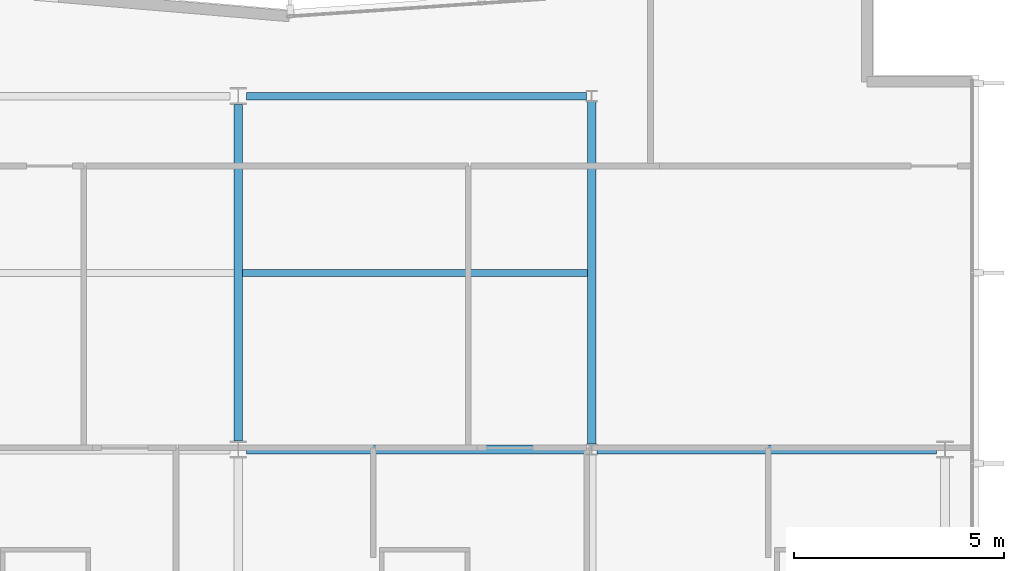
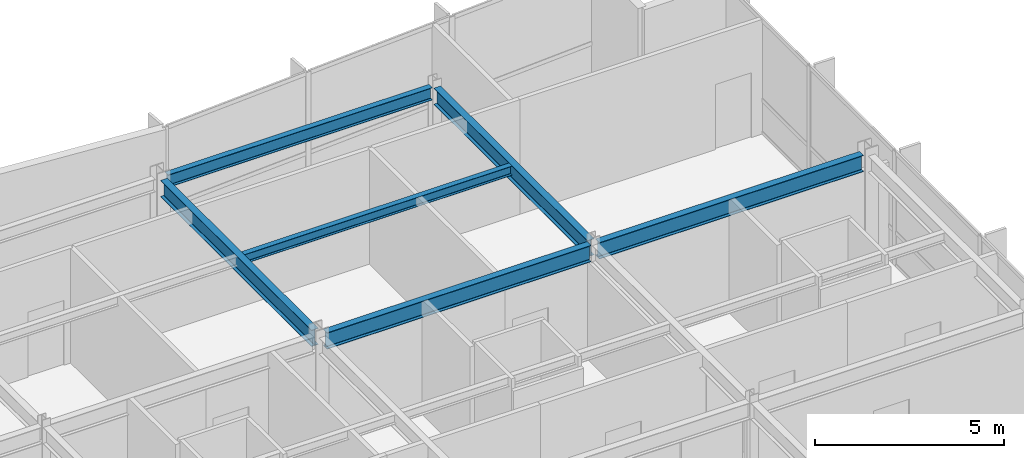
# One storey, part 6 of 17: 6 beams.
"""IFC4 building model written with IfcOpenShell, lengths in metres."""

from ifc_helpers import new_model, si_unit, direction, frame, origin, origin_2d, place, context, subcontext, project, spatial, i_section, extrude, material, material_profile, profile_set, type_object, element, save


model = new_model("IFC4")

# Units and contexts
model_context = context("Model", 3, precision=1e-05, world=origin(), true_north=direction((0.0, 1.0)))
body_context = subcontext(model_context, "Body", "Model", "MODEL_VIEW")
ifc_project = project(units=[si_unit("LENGTHUNIT", "METRE"), si_unit("AREAUNIT", "SQUARE_METRE"), si_unit("VOLUMEUNIT", "CUBIC_METRE"), si_unit("PLANEANGLEUNIT", "RADIAN"), si_unit("MASSUNIT", "GRAM", prefix="KILO")], contexts=[model_context])

# Site, building, storey
site_placement = place(None, origin())
site = spatial("IfcSite", under=ifc_project, at=site_placement, CompositionType="ELEMENT")
building_placement = place(site_placement, origin())
building = spatial("IfcBuilding", under=site, at=building_placement, Name="Varnakote Quay Hospital", CompositionType="ELEMENT")
storey_placement = place(building_placement, frame((0.0, 0.0, 203.949951171875)))
storey = spatial("IfcBuildingStorey", under=building, at=storey_placement, Name="L50", CompositionType="ELEMENT", Elevation=203.949951171875)

# Beams
ifc_material_1 = material(Name="Structural steel AS/NZS 3679.1 Grade 350 L0 (fy 340 MPa)", Category="steel")
ifc_material_profile_1 = material_profile(ifc_material_1, i_section(OverallWidth=0.208984375, OverallDepth=0.528076171875, WebThickness=0.009521484375, FlangeThickness=0.01318359375, FilletRadius=0.013916015625, at=origin_2d()), Name="530UB82.0")
ifc_profile_set_1 = profile_set([ifc_material_profile_1], Name="Structural steel AS/NZS 3679.1 Grade 350 L0 (fy 340 MPa)")
beam_type_1 = type_object("IfcBeamType", Name="BM-STL-530UB82-0", PredefinedType="BEAM", material=ifc_profile_set_1)
beam_1_placement = place(storey_placement, frame((33.60009765625, 20.60205078125, 3.446044921875), z_axis=(0.0, 1.0, 0.0), x_axis=(-1.0, 0.0, 0.0)))
element("IfcBeam", 1, at=beam_1_placement, inside=storey, type_object=beam_type_1, Name="L50 Primary Tie Beam", PredefinedType="BEAM", context=body_context, shape_type="SweptSolid", body=[
    extrude(i_section(OverallWidth=0.208984375, OverallDepth=0.528076171875, WebThickness=0.009521484375, FlangeThickness=0.01318359375, FilletRadius=0.013916015625, at=origin_2d()), origin(), (0.0, 0.0, 1.0), 7.995849609375),
])
beam_2_placement = place(storey_placement, frame((42.0, 20.530029296875, 3.446044921875), z_axis=(0.0, 1.0, 0.0), x_axis=(-1.0, 0.0, 0.0)))
element("IfcBeam", 2, at=beam_2_placement, inside=storey, type_object=beam_type_1, Name="L50 Primary Tie Beam", PredefinedType="BEAM", context=body_context, shape_type="SweptSolid", body=[
    extrude(i_section(OverallWidth=0.208984375, OverallDepth=0.528076171875, WebThickness=0.009521484375, FlangeThickness=0.01318359375, FilletRadius=0.013916015625, at=origin_2d()), origin(), (0.0, 0.0, 1.0), 8.139892578125),
])
ifc_material_2 = material(Name="Structural steel AS/NZS 3679.1 Grade 350 L0 (fy 340 MPa)", Category="steel")
ifc_material_profile_2 = material_profile(ifc_material_2, i_section(OverallWidth=0.208984375, OverallDepth=0.532958984375, WebThickness=0.01025390625, FlangeThickness=0.015625, FilletRadius=0.013916015625, at=origin_2d()), Name="530UB92.4")
ifc_profile_set_2 = profile_set([ifc_material_profile_2], Name="Structural steel AS/NZS 3679.1 Grade 350 L0 (fy 340 MPa)")
beam_type_2 = type_object("IfcBeamType", Name="BM-STL-530UB92-4", PredefinedType="BEAM", material=ifc_profile_set_2)
for number, where, z_axis, x_axis, name in (
    (3, (33.800048828125, 20.39990234375, 3.443603515625), (1.0, 0.0, 0.0), (0.0, 1.0, 0.0), "L50 Primary Floor Beam"),
    (4, (42.1279296875, 20.39990234375, 3.443603515625), (1.0, 0.0, 0.0), (0.0, 1.0, 0.0), "L50 Primary Floor Beam"),
):
    element("IfcBeam", number, at=place(storey_placement, frame(where, z_axis=z_axis, x_axis=x_axis)), inside=storey, type_object=beam_type_2, Name=name, PredefinedType="BEAM", context=body_context, shape_type="SweptSolid", body=[
        extrude(i_section(OverallWidth=0.208984375, OverallDepth=0.532958984375, WebThickness=0.01025390625, FlangeThickness=0.015625, FilletRadius=0.013916015625, at=origin_2d()), origin(), (0.0, 0.0, 1.0), 8.072021484375),
    ])
ifc_material_3 = material(Name="Structural steel AS/NZS 3679.1 Grade 350 L0 (fy 340 MPa)", Category="steel")
ifc_material_profile_3 = material_profile(ifc_material_3, i_section(OverallWidth=0.1650390625, OverallDepth=0.303955078125, WebThickness=0.006103515625, FlangeThickness=0.01025390625, FilletRadius=0.011474609375, at=origin_2d()), Name="310UB40.4")
ifc_profile_set_3 = profile_set([ifc_material_profile_3], Name="Structural steel AS/NZS 3679.1 Grade 350 L0 (fy 340 MPa)")
beam_type_3 = type_object("IfcBeamType", Name="JST-STL-310UB40-4", PredefinedType="JOIST", material=ifc_profile_set_3)
beam_3_placement = place(storey_placement, frame((33.70458984375, 24.60009765625, 3.55810546875), z_axis=(1.0, 0.0, 0.0), x_axis=(0.0, 1.0, 0.0)))
element("IfcBeam", 5, at=beam_3_placement, inside=storey, type_object=beam_type_3, Name="L50 Composite Floor Joist", PredefinedType="JOIST", context=body_context, shape_type="SweptSolid", body=[
    extrude(i_section(OverallWidth=0.1650390625, OverallDepth=0.303955078125, WebThickness=0.006103515625, FlangeThickness=0.01025390625, FilletRadius=0.011474609375, at=origin_2d()), origin(), (0.0, 0.0, 1.0), 8.19091796875),
])
ifc_material_4 = material(Name="Structural steel AS/NZS 3679.1 Grade 350 L0 (fy 340 MPa)", Category="steel")
ifc_material_profile_4 = material_profile(ifc_material_4, i_section(OverallWidth=0.177978515625, OverallDepth=0.406005859375, WebThickness=0.0078125, FlangeThickness=0.0126953125, FilletRadius=0.011474609375, at=origin_2d()), Name="410UB59.7")
ifc_profile_set_4 = profile_set([ifc_material_profile_4], Name="Structural steel AS/NZS 3679.1 Grade 350 L0 (fy 340 MPa)")
beam_type_4 = type_object("IfcBeamType", Name="SPN-STL-410UB59-7", PredefinedType="SPANDREL", material=ifc_profile_set_4)
beam_4_placement = place(storey_placement, frame((33.800048828125, 28.800048828125, 3.507080078125), z_axis=(1.0, 0.0, 0.0), x_axis=(0.0, 1.0, 0.0)))
element("IfcBeam", 6, at=beam_4_placement, inside=storey, type_object=beam_type_4, Name="L50 Perimeter Spandrel Beam", PredefinedType="SPANDREL", context=body_context, shape_type="SweptSolid", body=[
    extrude(i_section(OverallWidth=0.177978515625, OverallDepth=0.406005859375, WebThickness=0.0078125, FlangeThickness=0.0126953125, FilletRadius=0.011474609375, at=origin_2d()), origin(), (0.0, 0.0, 1.0), 8.072021484375),
])

save(model, "model.ifc")
